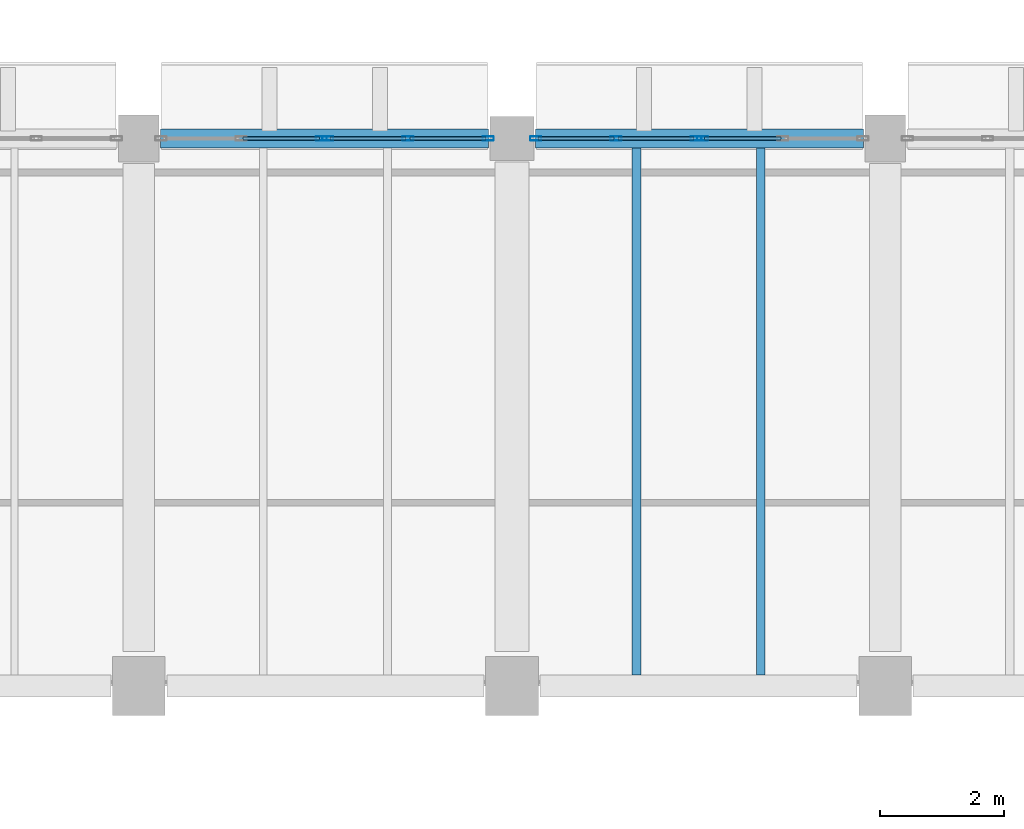
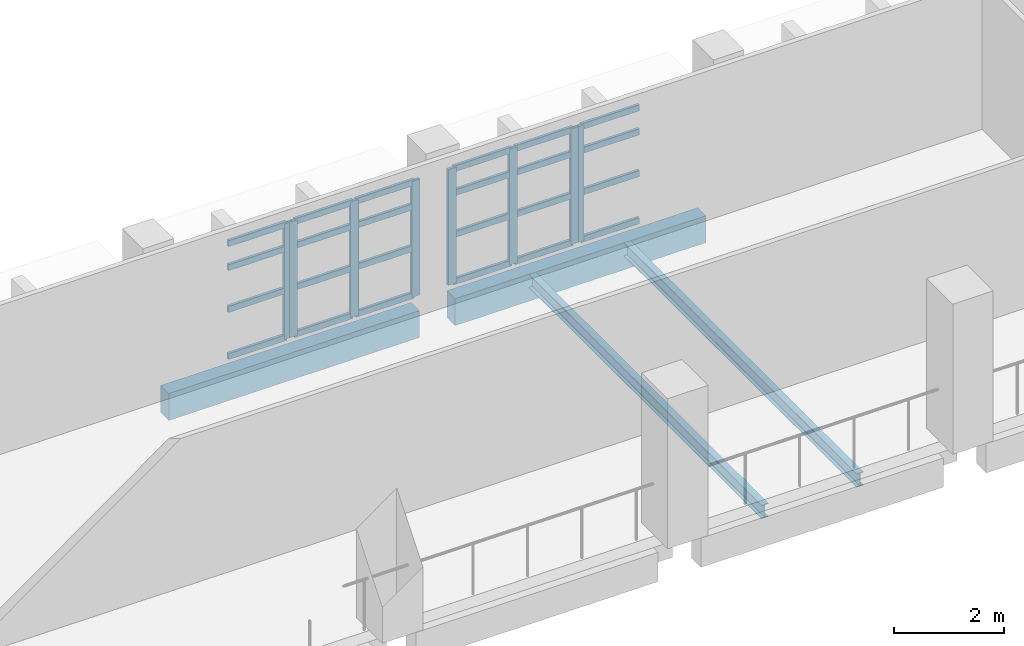
# One storey, part 39 of 75: 32 members, 4 beams, 4 elements without a shape of their own.
"""IFC4 building model written with IfcOpenShell, lengths in metres."""

from ifc_helpers import new_model, si_unit, direction, frame, origin, origin_2d, place, context, subcontext, project, spatial, rectangle, hollow_rectangle, i_section, extrude, material, material_profile, profile_set, type_object, element, aggregate, save


model = new_model("IFC4")

# Units and contexts
model_context = context("Model", 3, precision=1e-05, world=origin(), true_north=direction((0.0, 1.0)))
body_context = subcontext(model_context, "Body", "Model", "MODEL_VIEW")
ifc_project = project(units=[si_unit("LENGTHUNIT", "METRE"), si_unit("AREAUNIT", "SQUARE_METRE"), si_unit("VOLUMEUNIT", "CUBIC_METRE"), si_unit("PLANEANGLEUNIT", "RADIAN"), si_unit("MASSUNIT", "GRAM", prefix="KILO")], contexts=[model_context])

# Site, building, storey
site_placement = place(None, origin())
site = spatial("IfcSite", under=ifc_project, at=site_placement, CompositionType="ELEMENT")
building_placement = place(site_placement, origin())
building = spatial("IfcBuilding", under=site, at=building_placement, Name="Varnakota Cinema and Media Centre", CompositionType="ELEMENT")
storey_placement = place(building_placement, frame((0.0, 0.0, 8.39990234375)))
storey = spatial("IfcBuildingStorey", under=building, at=storey_placement, Name="L02", CompositionType="ELEMENT", Elevation=8.39990234375)

# Beams
ifc_material_1 = material(Name="Concrete M35", Category="concrete")
ifc_material_profile_1 = material_profile(ifc_material_1, rectangle(XDim=0.300048828125, YDim=0.60009765625, at=origin_2d()), Name="RCB 300x600")
ifc_profile_set_1 = profile_set([ifc_material_profile_1], Name="Concrete M35")
beam_type_1 = type_object("IfcBeamType", Name="BM-SP-300x600", PredefinedType="SPANDREL", material=ifc_profile_set_1)
for number, where, z_axis, x_axis, name in (
    (1, (117.35009765625, 44.0, -0.5498046875), (1.0, 0.0, 0.0), (0.0, 1.0, 0.0), "L02 girder S-T/6"),
    (2, (123.375, 44.0, -0.5498046875), (1.0, 0.0, 0.0), (0.0, 1.0, 0.0), "L02 girder T-U/6"),
):
    element("IfcBeam", number, at=place(storey_placement, frame(where, z_axis=z_axis, x_axis=x_axis)), inside=storey, type_object=beam_type_1, Name=name, PredefinedType="SPANDREL", context=body_context, shape_type="SweptSolid", body=[
        extrude(rectangle(XDim=0.300048828125, YDim=0.60009765625, at=origin_2d()), origin(), (0.0, 0.0, 1.0), 5.27490234375),
    ])
ifc_material_2 = material(Name="Structural steel Grade 350 (E350)", Category="steel")
ifc_material_profile_2 = material_profile(ifc_material_2, i_section(OverallWidth=0.139892578125, OverallDepth=0.300048828125, WebThickness=0.0078125, FlangeThickness=0.01318359375, FilletRadius=0.013916015625, at=origin_2d()), Name="ISMB 300")
ifc_profile_set_2 = profile_set([ifc_material_profile_2], Name="Structural steel Grade 350 (E350)")
beam_type_2 = type_object("IfcBeamType", Name="BM-ST-ISMB300", PredefinedType="JOIST", material=ifc_profile_set_2)
for number, where, z_axis, x_axis, name in (
    (3, (125.0, 35.375, -0.39990234375), (0.0, 1.0, 0.0), (-1.0, 0.0, 0.0), "L02 steel joist T-U/5-6 #1"),
    (4, (127.0, 35.375, -0.39990234375), (0.0, 1.0, 0.0), (-1.0, 0.0, 0.0), "L02 steel joist T-U/5-6 #2"),
):
    element("IfcBeam", number, at=place(storey_placement, frame(where, z_axis=z_axis, x_axis=x_axis)), inside=storey, type_object=beam_type_2, Name=name, PredefinedType="JOIST", context=body_context, shape_type="SweptSolid", body=[
        extrude(i_section(OverallWidth=0.139892578125, OverallDepth=0.300048828125, WebThickness=0.0078125, FlangeThickness=0.01318359375, FilletRadius=0.013916015625, at=origin_2d()), origin(), (0.0, 0.0, 1.0), 8.47509765625),
    ])

# Curtain wall, member
ifc_material_3 = material(Name="Thermally broken anodised aluminium AW-6063", Category="aluminium")
curtain_wall_type = type_object("IfcCurtainWallType", Name="CW-STD-264x258", PredefinedType="USERDEFINED", material=ifc_material_3)
curtain_wall_1_placement = place(storey_placement, origin())
curtain_wall_1 = element("IfcCurtainWall", 5, at=curtain_wall_1_placement, inside=storey, type_object=curtain_wall_type, Name="L02 curtain wall CW-L02-V1-N-08-1", ObjectType="UNITISED CURTAIN WALL", PredefinedType="USERDEFINED")
ifc_material_4 = material(Name="Thermally broken anodised aluminium AW-6063", Category="aluminium")
ifc_material_profile_3 = material_profile(ifc_material_4, hollow_rectangle(XDim=0.06494140625, YDim=0.179931640625, WallThickness=0.00390625, InnerFilletRadius=0.00390625, OuterFilletRadius=0.008056640625, at=origin_2d()), Name="AL-MULLION 180x65x4")
ifc_profile_set_3 = profile_set([ifc_material_profile_3], Name="Thermally broken anodised aluminium AW-6063")
member_type_1 = type_object("IfcMemberType", Name="CWM-AL-180", PredefinedType="MULLION", material=ifc_profile_set_3)
member_1_placement = place(storey_placement, frame((119.93505859375, 44.0, 0.0), z_axis=(0.0, 0.0, 1.0), x_axis=(0.0, 1.0, 0.0)))
member_1 = element("IfcMember", 6, at=member_1_placement, type_object=member_type_1, Name="CW29 mullion 3", PredefinedType="MULLION", context=body_context, shape_type="SweptSolid", body=[
    extrude(hollow_rectangle(XDim=0.06494140625, YDim=0.179931640625, WallThickness=0.00390625, InnerFilletRadius=0.00390625, OuterFilletRadius=0.008056640625, at=origin_2d()), origin(), (0.0, 0.0, 1.0), 2.5751953125),
])

# Curtain wall, members
curtain_wall_2_placement = place(storey_placement, origin())
curtain_wall_2 = element("IfcCurtainWall", 7, at=curtain_wall_2_placement, inside=storey, type_object=curtain_wall_type, Name="L02 curtain wall CW-L02-V1-N-08-2", ObjectType="UNITISED CURTAIN WALL", PredefinedType="USERDEFINED")
member_2_placement = place(storey_placement, frame((120.0400390625, 44.0, 0.0), z_axis=(0.0, 0.0, 1.0), x_axis=(0.0, 1.0, 0.0)))
member_2 = element("IfcMember", 8, at=member_2_placement, type_object=member_type_1, Name="CW29 mullion 1", PredefinedType="MULLION", context=body_context, shape_type="SweptSolid", body=[
    extrude(hollow_rectangle(XDim=0.06494140625, YDim=0.179931640625, WallThickness=0.00390625, InnerFilletRadius=0.00390625, OuterFilletRadius=0.008056640625, at=origin_2d()), origin(), (0.0, 0.0, 1.0), 2.5751953125),
])
member_3_placement = place(storey_placement, frame((121.328857421875, 44.0, 0.0), z_axis=(0.0, 0.0, 1.0), x_axis=(0.0, 1.0, 0.0)))
member_3 = element("IfcMember", 9, at=member_3_placement, type_object=member_type_1, Name="CW29 mullion 2", PredefinedType="MULLION", context=body_context, shape_type="SweptSolid", body=[
    extrude(hollow_rectangle(XDim=0.06494140625, YDim=0.179931640625, WallThickness=0.00390625, InnerFilletRadius=0.00390625, OuterFilletRadius=0.008056640625, at=origin_2d()), origin(), (0.0, 0.0, 1.0), 2.5751953125),
])
member_4_placement = place(storey_placement, frame((122.617431640625, 44.0, 0.0), z_axis=(0.0, 0.0, 1.0), x_axis=(0.0, 1.0, 0.0)))
member_4 = element("IfcMember", 10, at=member_4_placement, type_object=member_type_1, Name="CW29 mullion 3", PredefinedType="MULLION", context=body_context, shape_type="SweptSolid", body=[
    extrude(hollow_rectangle(XDim=0.06494140625, YDim=0.179931640625, WallThickness=0.00390625, InnerFilletRadius=0.00390625, OuterFilletRadius=0.008056640625, at=origin_2d()), origin(), (0.0, 0.0, 1.0), 2.5751953125),
])

curtain_wall_3_placement = place(storey_placement, origin())
curtain_wall_3 = element("IfcCurtainWall", 11, at=curtain_wall_3_placement, inside=storey, type_object=curtain_wall_type, Name="L02 curtain wall CW-L02-V1-N-09-1", ObjectType="UNITISED CURTAIN WALL", PredefinedType="USERDEFINED")
member_5_placement = place(storey_placement, frame((123.382568359375, 44.0, 0.0), z_axis=(0.0, 0.0, 1.0), x_axis=(0.0, 1.0, 0.0)))
member_5 = element("IfcMember", 12, at=member_5_placement, type_object=member_type_1, Name="CW29 mullion 1", PredefinedType="MULLION", context=body_context, shape_type="SweptSolid", body=[
    extrude(hollow_rectangle(XDim=0.06494140625, YDim=0.179931640625, WallThickness=0.00390625, InnerFilletRadius=0.00390625, OuterFilletRadius=0.008056640625, at=origin_2d()), origin(), (0.0, 0.0, 1.0), 2.5751953125),
])
member_6_placement = place(storey_placement, frame((124.671142578125, 44.0, 0.0), z_axis=(0.0, 0.0, 1.0), x_axis=(0.0, 1.0, 0.0)))
member_6 = element("IfcMember", 13, at=member_6_placement, type_object=member_type_1, Name="CW29 mullion 2", PredefinedType="MULLION", context=body_context, shape_type="SweptSolid", body=[
    extrude(hollow_rectangle(XDim=0.06494140625, YDim=0.179931640625, WallThickness=0.00390625, InnerFilletRadius=0.00390625, OuterFilletRadius=0.008056640625, at=origin_2d()), origin(), (0.0, 0.0, 1.0), 2.5751953125),
])
member_7_placement = place(storey_placement, frame((125.9599609375, 44.0, 0.0), z_axis=(0.0, 0.0, 1.0), x_axis=(0.0, 1.0, 0.0)))
member_7 = element("IfcMember", 14, at=member_7_placement, type_object=member_type_1, Name="CW29 mullion 3", PredefinedType="MULLION", context=body_context, shape_type="SweptSolid", body=[
    extrude(hollow_rectangle(XDim=0.06494140625, YDim=0.179931640625, WallThickness=0.00390625, InnerFilletRadius=0.00390625, OuterFilletRadius=0.008056640625, at=origin_2d()), origin(), (0.0, 0.0, 1.0), 2.5751953125),
])

# Curtain wall, member
curtain_wall_4_placement = place(storey_placement, origin())
curtain_wall_4 = element("IfcCurtainWall", 15, at=curtain_wall_4_placement, inside=storey, type_object=curtain_wall_type, Name="L02 curtain wall CW-L02-V1-N-09-2", ObjectType="UNITISED CURTAIN WALL", PredefinedType="USERDEFINED")
member_8_placement = place(storey_placement, frame((126.06494140625, 44.0, 0.0), z_axis=(0.0, 0.0, 1.0), x_axis=(0.0, 1.0, 0.0)))
member_8 = element("IfcMember", 16, at=member_8_placement, type_object=member_type_1, Name="CW29 mullion 1", PredefinedType="MULLION", context=body_context, shape_type="SweptSolid", body=[
    extrude(hollow_rectangle(XDim=0.06494140625, YDim=0.179931640625, WallThickness=0.00390625, InnerFilletRadius=0.00390625, OuterFilletRadius=0.008056640625, at=origin_2d()), origin(), (0.0, 0.0, 1.0), 2.5751953125),
])

# Member
ifc_material_5 = material(Name="Thermally broken anodised aluminium AW-6063", Category="aluminium")
ifc_material_profile_4 = material_profile(ifc_material_5, hollow_rectangle(XDim=0.06494140625, YDim=0.139892578125, WallThickness=0.00390625, InnerFilletRadius=0.00390625, OuterFilletRadius=0.008056640625, at=origin_2d()), Name="AL-TRANSOM 140x65x4")
ifc_profile_set_4 = profile_set([ifc_material_profile_4], Name="Thermally broken anodised aluminium AW-6063")
member_type_2 = type_object("IfcMemberType", Name="CWT-AL-140", PredefinedType="USERDEFINED", material=ifc_profile_set_4)
member_9_placement = place(storey_placement, frame((118.6787109375, 44.0, 0.03271484375), z_axis=(1.0, 0.0, 0.0), x_axis=(0.0, 1.0, 0.0)))
member_9 = element("IfcMember", 17, at=member_9_placement, type_object=member_type_2, Name="CW29 transom 2.1", ObjectType="TRANSOM", PredefinedType="USERDEFINED", context=body_context, shape_type="SweptSolid", body=[
    extrude(hollow_rectangle(XDim=0.06494140625, YDim=0.139892578125, WallThickness=0.00390625, InnerFilletRadius=0.00390625, OuterFilletRadius=0.008056640625, at=origin_2d()), origin(), (0.0, 0.0, 1.0), 1.223876953125),
])

member_10_placement = place(storey_placement, frame((118.6787109375, 44.0, 1.08154296875), z_axis=(1.0, 0.0, 0.0), x_axis=(0.0, 1.0, 0.0)))
member_10 = element("IfcMember", 18, at=member_10_placement, type_object=member_type_2, Name="CW29 transom 2.2", ObjectType="TRANSOM", PredefinedType="USERDEFINED", context=body_context, shape_type="SweptSolid", body=[
    extrude(hollow_rectangle(XDim=0.06494140625, YDim=0.139892578125, WallThickness=0.00390625, InnerFilletRadius=0.00390625, OuterFilletRadius=0.008056640625, at=origin_2d()), origin(), (0.0, 0.0, 1.0), 1.223876953125),
])

member_11_placement = place(storey_placement, frame((118.6787109375, 44.0, 2.008544921875), z_axis=(1.0, 0.0, 0.0), x_axis=(0.0, 1.0, 0.0)))
member_11 = element("IfcMember", 19, at=member_11_placement, type_object=member_type_2, Name="CW29 transom 2.3", ObjectType="TRANSOM", PredefinedType="USERDEFINED", context=body_context, shape_type="SweptSolid", body=[
    extrude(hollow_rectangle(XDim=0.06494140625, YDim=0.139892578125, WallThickness=0.00390625, InnerFilletRadius=0.00390625, OuterFilletRadius=0.008056640625, at=origin_2d()), origin(), (0.0, 0.0, 1.0), 1.223876953125),
])

member_12_placement = place(storey_placement, frame((118.6787109375, 44.0, 2.54248046875), z_axis=(1.0, 0.0, 0.0), x_axis=(0.0, 1.0, 0.0)))
member_12 = element("IfcMember", 20, at=member_12_placement, type_object=member_type_2, Name="CW29 transom 2.4", ObjectType="TRANSOM", PredefinedType="USERDEFINED", context=body_context, shape_type="SweptSolid", body=[
    extrude(hollow_rectangle(XDim=0.06494140625, YDim=0.139892578125, WallThickness=0.00390625, InnerFilletRadius=0.00390625, OuterFilletRadius=0.008056640625, at=origin_2d()), origin(), (0.0, 0.0, 1.0), 1.223876953125),
])

aggregate(curtain_wall_1, [member_1, member_9, member_10, member_11, member_12])

member_13_placement = place(storey_placement, frame((120.072509765625, 44.0, 0.03271484375), z_axis=(1.0, 0.0, 0.0), x_axis=(0.0, 1.0, 0.0)))
member_13 = element("IfcMember", 21, at=member_13_placement, type_object=member_type_2, Name="CW29 transom 1.1", ObjectType="TRANSOM", PredefinedType="USERDEFINED", context=body_context, shape_type="SweptSolid", body=[
    extrude(hollow_rectangle(XDim=0.06494140625, YDim=0.139892578125, WallThickness=0.00390625, InnerFilletRadius=0.00390625, OuterFilletRadius=0.008056640625, at=origin_2d()), origin(), (0.0, 0.0, 1.0), 1.2236328125),
])

member_14_placement = place(storey_placement, frame((120.072509765625, 44.0, 1.08154296875), z_axis=(1.0, 0.0, 0.0), x_axis=(0.0, 1.0, 0.0)))
member_14 = element("IfcMember", 22, at=member_14_placement, type_object=member_type_2, Name="CW29 transom 1.2", ObjectType="TRANSOM", PredefinedType="USERDEFINED", context=body_context, shape_type="SweptSolid", body=[
    extrude(hollow_rectangle(XDim=0.06494140625, YDim=0.139892578125, WallThickness=0.00390625, InnerFilletRadius=0.00390625, OuterFilletRadius=0.008056640625, at=origin_2d()), origin(), (0.0, 0.0, 1.0), 1.2236328125),
])

member_15_placement = place(storey_placement, frame((120.072509765625, 44.0, 2.008544921875), z_axis=(1.0, 0.0, 0.0), x_axis=(0.0, 1.0, 0.0)))
member_15 = element("IfcMember", 23, at=member_15_placement, type_object=member_type_2, Name="CW29 transom 1.3", ObjectType="TRANSOM", PredefinedType="USERDEFINED", context=body_context, shape_type="SweptSolid", body=[
    extrude(hollow_rectangle(XDim=0.06494140625, YDim=0.139892578125, WallThickness=0.00390625, InnerFilletRadius=0.00390625, OuterFilletRadius=0.008056640625, at=origin_2d()), origin(), (0.0, 0.0, 1.0), 1.2236328125),
])

member_16_placement = place(storey_placement, frame((120.072509765625, 44.0, 2.54248046875), z_axis=(1.0, 0.0, 0.0), x_axis=(0.0, 1.0, 0.0)))
member_16 = element("IfcMember", 24, at=member_16_placement, type_object=member_type_2, Name="CW29 transom 1.4", ObjectType="TRANSOM", PredefinedType="USERDEFINED", context=body_context, shape_type="SweptSolid", body=[
    extrude(hollow_rectangle(XDim=0.06494140625, YDim=0.139892578125, WallThickness=0.00390625, InnerFilletRadius=0.00390625, OuterFilletRadius=0.008056640625, at=origin_2d()), origin(), (0.0, 0.0, 1.0), 1.2236328125),
])

member_17_placement = place(storey_placement, frame((121.361328125, 44.0, 0.03271484375), z_axis=(1.0, 0.0, 0.0), x_axis=(0.0, 1.0, 0.0)))
member_17 = element("IfcMember", 25, at=member_17_placement, type_object=member_type_2, Name="CW29 transom 2.1", ObjectType="TRANSOM", PredefinedType="USERDEFINED", context=body_context, shape_type="SweptSolid", body=[
    extrude(hollow_rectangle(XDim=0.06494140625, YDim=0.139892578125, WallThickness=0.00390625, InnerFilletRadius=0.00390625, OuterFilletRadius=0.008056640625, at=origin_2d()), origin(), (0.0, 0.0, 1.0), 1.2236328125),
])

member_18_placement = place(storey_placement, frame((121.361328125, 44.0, 1.08154296875), z_axis=(1.0, 0.0, 0.0), x_axis=(0.0, 1.0, 0.0)))
member_18 = element("IfcMember", 26, at=member_18_placement, type_object=member_type_2, Name="CW29 transom 2.2", ObjectType="TRANSOM", PredefinedType="USERDEFINED", context=body_context, shape_type="SweptSolid", body=[
    extrude(hollow_rectangle(XDim=0.06494140625, YDim=0.139892578125, WallThickness=0.00390625, InnerFilletRadius=0.00390625, OuterFilletRadius=0.008056640625, at=origin_2d()), origin(), (0.0, 0.0, 1.0), 1.2236328125),
])

member_19_placement = place(storey_placement, frame((121.361328125, 44.0, 2.008544921875), z_axis=(1.0, 0.0, 0.0), x_axis=(0.0, 1.0, 0.0)))
member_19 = element("IfcMember", 27, at=member_19_placement, type_object=member_type_2, Name="CW29 transom 2.3", ObjectType="TRANSOM", PredefinedType="USERDEFINED", context=body_context, shape_type="SweptSolid", body=[
    extrude(hollow_rectangle(XDim=0.06494140625, YDim=0.139892578125, WallThickness=0.00390625, InnerFilletRadius=0.00390625, OuterFilletRadius=0.008056640625, at=origin_2d()), origin(), (0.0, 0.0, 1.0), 1.2236328125),
])

member_20_placement = place(storey_placement, frame((121.361328125, 44.0, 2.54248046875), z_axis=(1.0, 0.0, 0.0), x_axis=(0.0, 1.0, 0.0)))
member_20 = element("IfcMember", 28, at=member_20_placement, type_object=member_type_2, Name="CW29 transom 2.4", ObjectType="TRANSOM", PredefinedType="USERDEFINED", context=body_context, shape_type="SweptSolid", body=[
    extrude(hollow_rectangle(XDim=0.06494140625, YDim=0.139892578125, WallThickness=0.00390625, InnerFilletRadius=0.00390625, OuterFilletRadius=0.008056640625, at=origin_2d()), origin(), (0.0, 0.0, 1.0), 1.2236328125),
])

aggregate(curtain_wall_2, [member_2, member_3, member_4, member_13, member_14, member_15, member_16, member_17, member_18, member_19, member_20])

member_21_placement = place(storey_placement, frame((123.4150390625, 44.0, 0.03271484375), z_axis=(1.0, 0.0, 0.0), x_axis=(0.0, 1.0, 0.0)))
member_21 = element("IfcMember", 29, at=member_21_placement, type_object=member_type_2, Name="CW29 transom 1.1", ObjectType="TRANSOM", PredefinedType="USERDEFINED", context=body_context, shape_type="SweptSolid", body=[
    extrude(hollow_rectangle(XDim=0.06494140625, YDim=0.139892578125, WallThickness=0.00390625, InnerFilletRadius=0.00390625, OuterFilletRadius=0.008056640625, at=origin_2d()), origin(), (0.0, 0.0, 1.0), 1.2236328125),
])

member_22_placement = place(storey_placement, frame((123.4150390625, 44.0, 1.08154296875), z_axis=(1.0, 0.0, 0.0), x_axis=(0.0, 1.0, 0.0)))
member_22 = element("IfcMember", 30, at=member_22_placement, type_object=member_type_2, Name="CW29 transom 1.2", ObjectType="TRANSOM", PredefinedType="USERDEFINED", context=body_context, shape_type="SweptSolid", body=[
    extrude(hollow_rectangle(XDim=0.06494140625, YDim=0.139892578125, WallThickness=0.00390625, InnerFilletRadius=0.00390625, OuterFilletRadius=0.008056640625, at=origin_2d()), origin(), (0.0, 0.0, 1.0), 1.2236328125),
])

member_23_placement = place(storey_placement, frame((123.4150390625, 44.0, 2.008544921875), z_axis=(1.0, 0.0, 0.0), x_axis=(0.0, 1.0, 0.0)))
member_23 = element("IfcMember", 31, at=member_23_placement, type_object=member_type_2, Name="CW29 transom 1.3", ObjectType="TRANSOM", PredefinedType="USERDEFINED", context=body_context, shape_type="SweptSolid", body=[
    extrude(hollow_rectangle(XDim=0.06494140625, YDim=0.139892578125, WallThickness=0.00390625, InnerFilletRadius=0.00390625, OuterFilletRadius=0.008056640625, at=origin_2d()), origin(), (0.0, 0.0, 1.0), 1.2236328125),
])

member_24_placement = place(storey_placement, frame((123.4150390625, 44.0, 2.54248046875), z_axis=(1.0, 0.0, 0.0), x_axis=(0.0, 1.0, 0.0)))
member_24 = element("IfcMember", 32, at=member_24_placement, type_object=member_type_2, Name="CW29 transom 1.4", ObjectType="TRANSOM", PredefinedType="USERDEFINED", context=body_context, shape_type="SweptSolid", body=[
    extrude(hollow_rectangle(XDim=0.06494140625, YDim=0.139892578125, WallThickness=0.00390625, InnerFilletRadius=0.00390625, OuterFilletRadius=0.008056640625, at=origin_2d()), origin(), (0.0, 0.0, 1.0), 1.2236328125),
])

member_25_placement = place(storey_placement, frame((124.703857421875, 44.0, 0.03271484375), z_axis=(1.0, 0.0, 0.0), x_axis=(0.0, 1.0, 0.0)))
member_25 = element("IfcMember", 33, at=member_25_placement, type_object=member_type_2, Name="CW29 transom 2.1", ObjectType="TRANSOM", PredefinedType="USERDEFINED", context=body_context, shape_type="SweptSolid", body=[
    extrude(hollow_rectangle(XDim=0.06494140625, YDim=0.139892578125, WallThickness=0.00390625, InnerFilletRadius=0.00390625, OuterFilletRadius=0.008056640625, at=origin_2d()), origin(), (0.0, 0.0, 1.0), 1.2236328125),
])

member_26_placement = place(storey_placement, frame((124.703857421875, 44.0, 1.08154296875), z_axis=(1.0, 0.0, 0.0), x_axis=(0.0, 1.0, 0.0)))
member_26 = element("IfcMember", 34, at=member_26_placement, type_object=member_type_2, Name="CW29 transom 2.2", ObjectType="TRANSOM", PredefinedType="USERDEFINED", context=body_context, shape_type="SweptSolid", body=[
    extrude(hollow_rectangle(XDim=0.06494140625, YDim=0.139892578125, WallThickness=0.00390625, InnerFilletRadius=0.00390625, OuterFilletRadius=0.008056640625, at=origin_2d()), origin(), (0.0, 0.0, 1.0), 1.2236328125),
])

member_27_placement = place(storey_placement, frame((124.703857421875, 44.0, 2.008544921875), z_axis=(1.0, 0.0, 0.0), x_axis=(0.0, 1.0, 0.0)))
member_27 = element("IfcMember", 35, at=member_27_placement, type_object=member_type_2, Name="CW29 transom 2.3", ObjectType="TRANSOM", PredefinedType="USERDEFINED", context=body_context, shape_type="SweptSolid", body=[
    extrude(hollow_rectangle(XDim=0.06494140625, YDim=0.139892578125, WallThickness=0.00390625, InnerFilletRadius=0.00390625, OuterFilletRadius=0.008056640625, at=origin_2d()), origin(), (0.0, 0.0, 1.0), 1.2236328125),
])

member_28_placement = place(storey_placement, frame((124.703857421875, 44.0, 2.54248046875), z_axis=(1.0, 0.0, 0.0), x_axis=(0.0, 1.0, 0.0)))
member_28 = element("IfcMember", 36, at=member_28_placement, type_object=member_type_2, Name="CW29 transom 2.4", ObjectType="TRANSOM", PredefinedType="USERDEFINED", context=body_context, shape_type="SweptSolid", body=[
    extrude(hollow_rectangle(XDim=0.06494140625, YDim=0.139892578125, WallThickness=0.00390625, InnerFilletRadius=0.00390625, OuterFilletRadius=0.008056640625, at=origin_2d()), origin(), (0.0, 0.0, 1.0), 1.2236328125),
])

aggregate(curtain_wall_3, [member_5, member_6, member_7, member_21, member_22, member_23, member_24, member_25, member_26, member_27, member_28])

member_29_placement = place(storey_placement, frame((126.097412109375, 44.0, 0.03271484375), z_axis=(1.0, 0.0, 0.0), x_axis=(0.0, 1.0, 0.0)))
member_29 = element("IfcMember", 37, at=member_29_placement, type_object=member_type_2, Name="CW29 transom 1.1", ObjectType="TRANSOM", PredefinedType="USERDEFINED", context=body_context, shape_type="SweptSolid", body=[
    extrude(hollow_rectangle(XDim=0.06494140625, YDim=0.139892578125, WallThickness=0.00390625, InnerFilletRadius=0.00390625, OuterFilletRadius=0.008056640625, at=origin_2d()), origin(), (0.0, 0.0, 1.0), 1.223876953125),
])

member_30_placement = place(storey_placement, frame((126.097412109375, 44.0, 1.08154296875), z_axis=(1.0, 0.0, 0.0), x_axis=(0.0, 1.0, 0.0)))
member_30 = element("IfcMember", 38, at=member_30_placement, type_object=member_type_2, Name="CW29 transom 1.2", ObjectType="TRANSOM", PredefinedType="USERDEFINED", context=body_context, shape_type="SweptSolid", body=[
    extrude(hollow_rectangle(XDim=0.06494140625, YDim=0.139892578125, WallThickness=0.00390625, InnerFilletRadius=0.00390625, OuterFilletRadius=0.008056640625, at=origin_2d()), origin(), (0.0, 0.0, 1.0), 1.223876953125),
])

member_31_placement = place(storey_placement, frame((126.097412109375, 44.0, 2.008544921875), z_axis=(1.0, 0.0, 0.0), x_axis=(0.0, 1.0, 0.0)))
member_31 = element("IfcMember", 39, at=member_31_placement, type_object=member_type_2, Name="CW29 transom 1.3", ObjectType="TRANSOM", PredefinedType="USERDEFINED", context=body_context, shape_type="SweptSolid", body=[
    extrude(hollow_rectangle(XDim=0.06494140625, YDim=0.139892578125, WallThickness=0.00390625, InnerFilletRadius=0.00390625, OuterFilletRadius=0.008056640625, at=origin_2d()), origin(), (0.0, 0.0, 1.0), 1.223876953125),
])

member_32_placement = place(storey_placement, frame((126.097412109375, 44.0, 2.54248046875), z_axis=(1.0, 0.0, 0.0), x_axis=(0.0, 1.0, 0.0)))
member_32 = element("IfcMember", 40, at=member_32_placement, type_object=member_type_2, Name="CW29 transom 1.4", ObjectType="TRANSOM", PredefinedType="USERDEFINED", context=body_context, shape_type="SweptSolid", body=[
    extrude(hollow_rectangle(XDim=0.06494140625, YDim=0.139892578125, WallThickness=0.00390625, InnerFilletRadius=0.00390625, OuterFilletRadius=0.008056640625, at=origin_2d()), origin(), (0.0, 0.0, 1.0), 1.223876953125),
])

aggregate(curtain_wall_4, [member_8, member_29, member_30, member_31, member_32])

save(model, "model.ifc")
